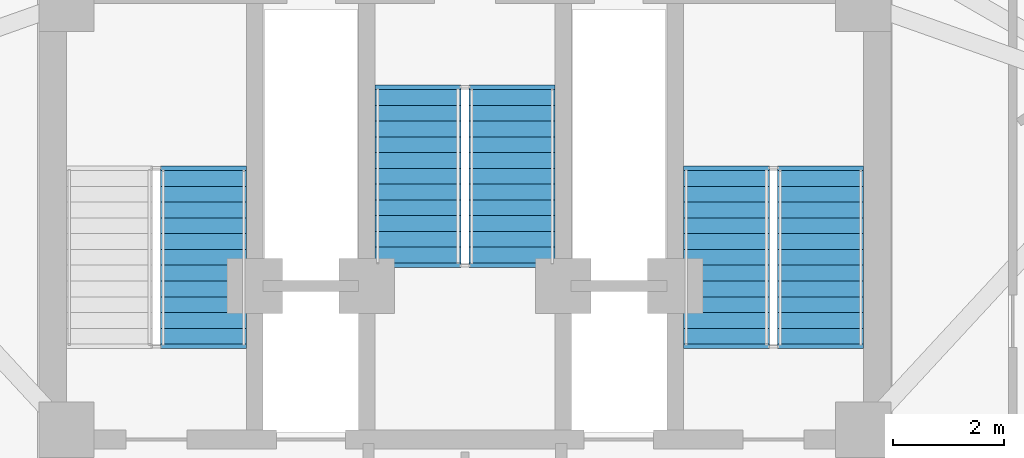
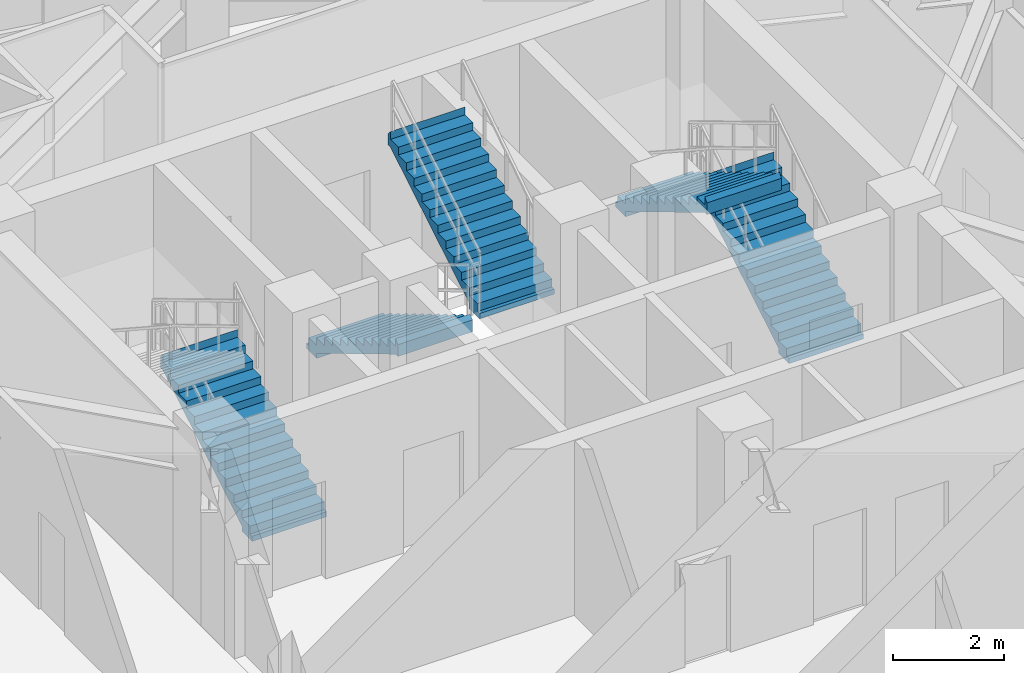
# One storey, part 7 of 10: 5 stair flights, 3 elements without a shape of their own.
"""IFC4 building model written with IfcOpenShell, lengths in metres."""

from ifc_helpers import new_model, si_unit, direction, frame, origin, place, context, subcontext, project, spatial, polyline, outline, extrude, material, type_object, element, aggregate, save


model = new_model("IFC4")

# Units and contexts
model_context = context("Model", 3, precision=1e-05, world=origin(), true_north=direction((0.0, 1.0)))
body_context = subcontext(model_context, "Body", "Model", "MODEL_VIEW")
ifc_project = project(units=[si_unit("LENGTHUNIT", "METRE"), si_unit("AREAUNIT", "SQUARE_METRE"), si_unit("VOLUMEUNIT", "CUBIC_METRE"), si_unit("PLANEANGLEUNIT", "RADIAN"), si_unit("MASSUNIT", "GRAM", prefix="KILO")], contexts=[model_context])

# Site, building, storey
site_placement = place(None, origin())
site = spatial("IfcSite", under=ifc_project, at=site_placement, CompositionType="ELEMENT")
building_placement = place(site_placement, origin())
building = spatial("IfcBuilding", under=site, at=building_placement, Name="Apsidion Concourse Tower", CompositionType="ELEMENT")
storey_placement = place(building_placement, frame((0.0, 0.0, 269.60009765625)))
storey = spatial("IfcBuildingStorey", under=building, at=storey_placement, Name="L63", CompositionType="ELEMENT", Elevation=269.60009765625)

# Stair, stair flight
ifc_material = material(Name="Precast concrete C40/50", Category="concrete")
stair_type = type_object("IfcStairType", Name="ST-DL-1550", PredefinedType="HALF_TURN_STAIR", material=ifc_material)
stair_1_placement = place(storey_placement, origin())
stair_1 = element("IfcStair", 1, at=stair_1_placement, inside=storey, type_object=stair_type, Name="L63 Protected Core Exit Stair ST1", PredefinedType="HALF_TURN_STAIR")
stair_flight_type = type_object("IfcStairFlightType", Name="SFL-RC-1550", PredefinedType="STRAIGHT", material=ifc_material)
stair_flight_1_placement = place(storey_placement, frame((-4.72509765625, 3.0, 0.0), z_axis=(0.0, 0.0, 1.0), x_axis=(0.0, 1.0, 0.0)))
stair_flight_1 = element("IfcStairFlight", 2, at=stair_flight_1_placement, type_object=stair_flight_type, Name="ST1 flight 1", NumberOfRisers=12, NumberOfTreads=11, PredefinedType="STRAIGHT", RiserHeight=0.170833333, TreadLength=0.285, context=body_context, shape_type="SweptSolid", body=[
    extrude(outline(polyline([(-0.080078125, -0.1123046875), (-0.080078125, 0.0), (0.0, 0.0), (0.0, 0.1708984375), (0.284912109375, 0.1708984375), (0.284912109375, 0.341552734375), (0.570068359375, 0.341552734375), (0.570068359375, 0.512451171875), (0.85498046875, 0.512451171875), (0.85498046875, 0.683349609375), (1.139892578125, 0.683349609375), (1.139892578125, 0.854248046875), (1.425048828125, 0.854248046875), (1.425048828125, 1.02490234375), (1.7099609375, 1.02490234375), (1.7099609375, 1.19580078125), (1.9951171875, 1.19580078125), (1.9951171875, 1.36669921875), (2.280029296875, 1.36669921875), (2.280029296875, 1.53759765625), (2.56494140625, 1.53759765625), (2.56494140625, 1.708251953125), (2.85009765625, 1.708251953125), (2.85009765625, 1.879150390625), (3.135009765625, 1.879150390625), (3.135009765625, 2.050048828125), (3.215087890625, 1.964599609375), (3.215087890625, 1.704345703125), (3.135009765625, 1.704345703125), (0.29150390625, 0.0), (0.29150390625, -0.1123046875), (-0.080078125, -0.1123046875)])), frame((0.0, 0.77490234375, 0.0), z_axis=(0.0, -1.0, 0.0), x_axis=(1.0, 0.0, 0.0)), (0.0, 0.0, 1.0), 1.550048828125),
])
aggregate(stair_1, [stair_flight_1])

# Stair, stair flights
stair_2_placement = place(storey_placement, origin())
stair_2 = element("IfcStair", 3, at=stair_2_placement, inside=storey, type_object=stair_type, Name="L63 Protected Core Exit Stair ST2", PredefinedType="HALF_TURN_STAIR")
stair_flight_2_placement = place(storey_placement, frame((6.425048828125, 3.0, 0.0), z_axis=(0.0, 0.0, 1.0), x_axis=(0.0, 1.0, 0.0)))
stair_flight_2 = element("IfcStairFlight", 4, at=stair_flight_2_placement, type_object=stair_flight_type, Name="ST2 flight 1", NumberOfRisers=12, NumberOfTreads=11, PredefinedType="STRAIGHT", RiserHeight=0.170833333, TreadLength=0.285, context=body_context, shape_type="SweptSolid", body=[
    extrude(outline(polyline([(-0.080078125, -0.1123046875), (-0.080078125, 0.0), (0.0, 0.0), (0.0, 0.1708984375), (0.284912109375, 0.1708984375), (0.284912109375, 0.341552734375), (0.570068359375, 0.341552734375), (0.570068359375, 0.512451171875), (0.85498046875, 0.512451171875), (0.85498046875, 0.683349609375), (1.139892578125, 0.683349609375), (1.139892578125, 0.854248046875), (1.425048828125, 0.854248046875), (1.425048828125, 1.02490234375), (1.7099609375, 1.02490234375), (1.7099609375, 1.19580078125), (1.9951171875, 1.19580078125), (1.9951171875, 1.36669921875), (2.280029296875, 1.36669921875), (2.280029296875, 1.53759765625), (2.56494140625, 1.53759765625), (2.56494140625, 1.708251953125), (2.85009765625, 1.708251953125), (2.85009765625, 1.879150390625), (3.135009765625, 1.879150390625), (3.135009765625, 2.050048828125), (3.215087890625, 1.964599609375), (3.215087890625, 1.704345703125), (3.135009765625, 1.704345703125), (0.29150390625, 0.0), (0.29150390625, -0.1123046875), (-0.080078125, -0.1123046875)])), frame((0.0, 0.77490234375, 0.0), z_axis=(0.0, -1.0, 0.0), x_axis=(1.0, 0.0, 0.0)), (0.0, 0.0, 1.0), 1.550048828125),
])
stair_flight_3_placement = place(storey_placement, frame((4.72509765625, 6.135009765625, 2.0498046875), z_axis=(0.0, 0.0, 1.0), x_axis=(0.0, -1.0, 0.0)))
stair_flight_3 = element("IfcStairFlight", 5, at=stair_flight_3_placement, type_object=stair_flight_type, Name="ST2 flight 2", NumberOfRisers=12, NumberOfTreads=11, PredefinedType="STRAIGHT", RiserHeight=0.170833333, TreadLength=0.285, context=body_context, shape_type="SweptSolid", body=[
    extrude(outline(polyline([(-0.080078125, -0.1123046875), (-0.080078125, 0.0), (0.0, 0.0), (0.0, 0.1708984375), (0.284912109375, 0.1708984375), (0.284912109375, 0.341552734375), (0.570068359375, 0.341552734375), (0.570068359375, 0.512451171875), (0.85498046875, 0.512451171875), (0.85498046875, 0.683349609375), (1.139892578125, 0.683349609375), (1.139892578125, 0.854248046875), (1.425048828125, 0.854248046875), (1.425048828125, 1.02490234375), (1.7099609375, 1.02490234375), (1.7099609375, 1.19580078125), (1.9951171875, 1.19580078125), (1.9951171875, 1.36669921875), (2.280029296875, 1.36669921875), (2.280029296875, 1.53759765625), (2.56494140625, 1.53759765625), (2.56494140625, 1.708251953125), (2.85009765625, 1.708251953125), (2.85009765625, 1.879150390625), (3.135009765625, 1.879150390625), (3.135009765625, 2.050048828125), (3.215087890625, 1.964599609375), (3.215087890625, 1.704345703125), (3.135009765625, 1.704345703125), (0.29150390625, 0.0), (0.29150390625, -0.1123046875), (-0.080078125, -0.1123046875)])), frame((0.0, 0.77490234375, 0.0), z_axis=(0.0, -1.0, 0.0), x_axis=(1.0, 0.0, 0.0)), (0.0, 0.0, 1.0), 1.550048828125),
])
aggregate(stair_2, [stair_flight_2, stair_flight_3])

stair_3_placement = place(storey_placement, origin())
stair_3 = element("IfcStair", 6, at=stair_3_placement, inside=storey, type_object=stair_type, Name="L63 Protected Core Exit Stair ST3", PredefinedType="HALF_TURN_STAIR")
stair_flight_4_placement = place(storey_placement, frame((-0.85009765625, 7.60009765625, 0.0), z_axis=(0.0, 0.0, 1.0), x_axis=(0.0, -1.0, 0.0)))
stair_flight_4 = element("IfcStairFlight", 7, at=stair_flight_4_placement, type_object=stair_flight_type, Name="ST3 flight 1", NumberOfRisers=12, NumberOfTreads=11, PredefinedType="STRAIGHT", RiserHeight=0.170833333, TreadLength=0.285, context=body_context, shape_type="SweptSolid", body=[
    extrude(outline(polyline([(-0.080078125, -0.1123046875), (-0.080078125, 0.0), (0.0, 0.0), (0.0, 0.1708984375), (0.284912109375, 0.1708984375), (0.284912109375, 0.341552734375), (0.570068359375, 0.341552734375), (0.570068359375, 0.512451171875), (0.85498046875, 0.512451171875), (0.85498046875, 0.683349609375), (1.139892578125, 0.683349609375), (1.139892578125, 0.854248046875), (1.425048828125, 0.854248046875), (1.425048828125, 1.02490234375), (1.7099609375, 1.02490234375), (1.7099609375, 1.19580078125), (1.9951171875, 1.19580078125), (1.9951171875, 1.36669921875), (2.280029296875, 1.36669921875), (2.280029296875, 1.53759765625), (2.56494140625, 1.53759765625), (2.56494140625, 1.708251953125), (2.85009765625, 1.708251953125), (2.85009765625, 1.879150390625), (3.135009765625, 1.879150390625), (3.135009765625, 2.050048828125), (3.215087890625, 1.964599609375), (3.215087890625, 1.704345703125), (3.135009765625, 1.704345703125), (0.29150390625, 0.0), (0.29150390625, -0.1123046875), (-0.080078125, -0.1123046875)])), frame((0.0, 0.77490234375, 0.0), z_axis=(0.0, -1.0, 0.0), x_axis=(1.0, 0.0, 0.0)), (0.0, 0.0, 1.0), 1.550048828125),
])
stair_flight_5_placement = place(storey_placement, frame((0.85009765625, 4.465087890625, 2.0498046875), z_axis=(0.0, 0.0, 1.0), x_axis=(0.0, 1.0, 0.0)))
stair_flight_5 = element("IfcStairFlight", 8, at=stair_flight_5_placement, type_object=stair_flight_type, Name="ST3 flight 2", NumberOfRisers=12, NumberOfTreads=11, PredefinedType="STRAIGHT", RiserHeight=0.170833333, TreadLength=0.285, context=body_context, shape_type="SweptSolid", body=[
    extrude(outline(polyline([(-0.080078125, -0.1123046875), (-0.080078125, 0.0), (0.0, 0.0), (0.0, 0.1708984375), (0.284912109375, 0.1708984375), (0.284912109375, 0.341552734375), (0.570068359375, 0.341552734375), (0.570068359375, 0.512451171875), (0.85498046875, 0.512451171875), (0.85498046875, 0.683349609375), (1.139892578125, 0.683349609375), (1.139892578125, 0.854248046875), (1.425048828125, 0.854248046875), (1.425048828125, 1.02490234375), (1.7099609375, 1.02490234375), (1.7099609375, 1.19580078125), (1.9951171875, 1.19580078125), (1.9951171875, 1.36669921875), (2.280029296875, 1.36669921875), (2.280029296875, 1.53759765625), (2.56494140625, 1.53759765625), (2.56494140625, 1.708251953125), (2.85009765625, 1.708251953125), (2.85009765625, 1.879150390625), (3.135009765625, 1.879150390625), (3.135009765625, 2.050048828125), (3.215087890625, 1.964599609375), (3.215087890625, 1.704345703125), (3.135009765625, 1.704345703125), (0.29150390625, 0.0), (0.29150390625, -0.1123046875), (-0.080078125, -0.1123046875)])), frame((0.0, 0.77490234375, 0.0), z_axis=(0.0, -1.0, 0.0), x_axis=(1.0, 0.0, 0.0)), (0.0, 0.0, 1.0), 1.550048828125),
])
aggregate(stair_3, [stair_flight_4, stair_flight_5])

save(model, "model.ifc")
